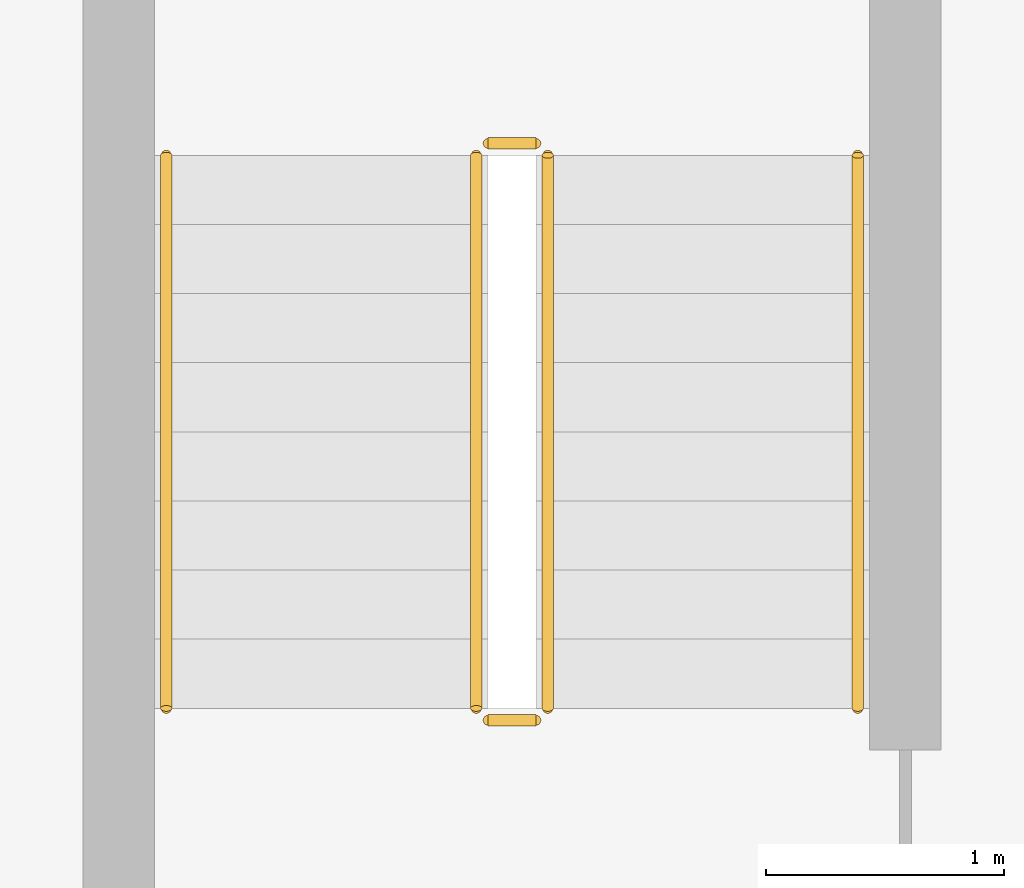
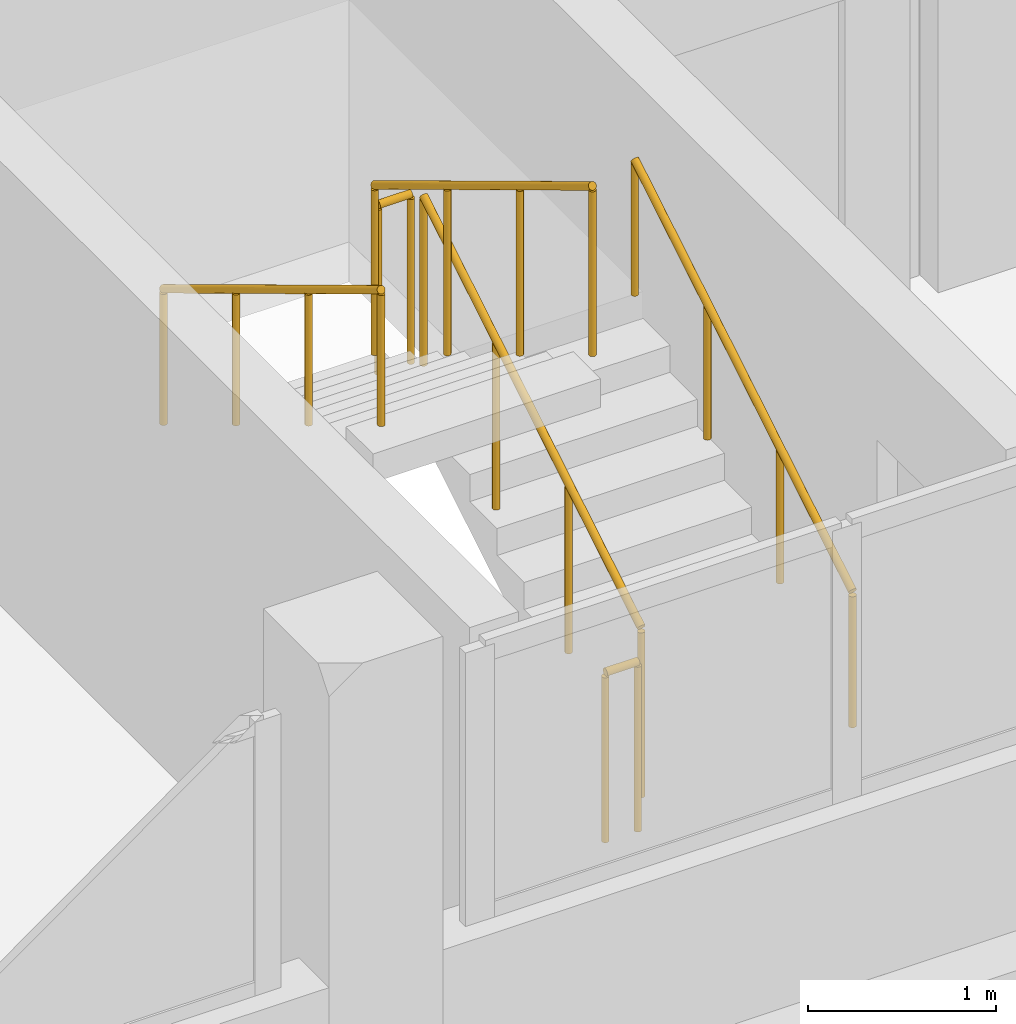
# One storey, part 42 of 51: 6 railings.
"""IFC4 building model written with IfcOpenShell, lengths in metres."""

from ifc_helpers import new_model, si_unit, derived_unit, direction, frame, origin, origin_2d, place, context, subcontext, project, spatial, circle, extrude, material, type_object, element, save


model = new_model("IFC4")

# Units and contexts
model_context = context("Model", 3, precision=1e-05, world=origin(), true_north=direction((0.0, 1.0)))
body_context = subcontext(model_context, "Body", "Model", "MODEL_VIEW")
ifc_project = project(units=[si_unit("LENGTHUNIT", "METRE"), si_unit("AREAUNIT", "SQUARE_METRE"), si_unit("VOLUMEUNIT", "CUBIC_METRE"), si_unit("PLANEANGLEUNIT", "RADIAN"), si_unit("MASSUNIT", "GRAM", prefix="KILO"), derived_unit("THERMALTRANSMITTANCEUNIT", [(si_unit("MASSUNIT", "GRAM", prefix="KILO"), 1), (si_unit("TIMEUNIT", "SECOND"), -3), (si_unit("THERMODYNAMICTEMPERATUREUNIT", "KELVIN"), -1)])], contexts=[model_context])

# Site, building, storey
site_placement = place(None, origin())
site = spatial("IfcSite", under=ifc_project, at=site_placement, CompositionType="ELEMENT")
building_placement = place(site_placement, origin())
building = spatial("IfcBuilding", under=site, at=building_placement, Name="Ochrekiln Boulevard Commons", CompositionType="ELEMENT")
storey_placement = place(building_placement, frame((0.0, 0.0, 15.22509765625)))
storey = spatial("IfcBuildingStorey", under=building, at=storey_placement, Name="L04", CompositionType="ELEMENT", Elevation=15.22509765625)

# Railings
ifc_material = material(Name="Brushed stainless steel 316 tubular railing", Category="steel")
railing_type_1 = type_object("IfcRailingType", Name="RLG-HDR-900", PredefinedType="HANDRAIL", material=ifc_material)
railing_1_placement = place(storey_placement, frame((9.35009765625, 70.27001953125, 0.1748046875)))
element("IfcRailing", 1, at=railing_1_placement, inside=storey, type_object=railing_type_1, Name="L04 ST-A1 stair handrail 1", PredefinedType="HANDRAIL", context=body_context, shape_type="SweptSolid", body=[
    extrude(circle(Radius=0.02392578125, at=origin_2d()), frame((0.0, 0.0, 0.8759765625), z_axis=(0.0, 0.856170481923, 0.516693435108), x_axis=(-1.0, 0.0, 0.0)), (0.0, 0.0, 1.0), 2.709716796875),
    extrude(circle(Radius=0.02099609375, at=origin_2d()), origin(), (0.0, 0.0, 1.0), 0.851806640625),
    extrude(circle(Radius=0.02099609375, at=origin_2d()), frame((0.0, 0.7734375, 0.466796875)), (0.0, 0.0, 1.0), 0.851806640625),
    extrude(circle(Radius=0.02099609375, at=origin_2d()), frame((0.0, 1.546630859375, 0.933349609375)), (0.0, 0.0, 1.0), 0.851806640625),
    extrude(circle(Radius=0.02099609375, at=origin_2d()), frame((0.0, 2.320068359375, 1.400146484375)), (0.0, 0.0, 1.0), 0.851806640625),
])
railing_2_placement = place(storey_placement, frame((6.449951171875, 72.590087890625, 1.75)))
element("IfcRailing", 2, at=railing_2_placement, inside=storey, type_object=railing_type_1, Name="L04 ST-A1 stair handrail 2", PredefinedType="HANDRAIL", context=body_context, shape_type="SweptSolid", body=[
    extrude(circle(Radius=0.02392578125, at=origin_2d()), frame((0.0, 0.0, 0.8759765625), z_axis=(0.0, -0.85621033714, 0.516627388526), x_axis=(1.0, 0.0, 0.0)), (0.0, 0.0, 1.0), 2.709716796875),
    extrude(circle(Radius=0.02099609375, at=origin_2d()), origin(), (0.0, 0.0, 1.0), 0.851806640625),
    extrude(circle(Radius=0.02099609375, at=origin_2d()), frame((0.0, -0.7734375, 0.466552734375)), (0.0, 0.0, 1.0), 0.851806640625),
    extrude(circle(Radius=0.02099609375, at=origin_2d()), frame((0.0, -1.546630859375, 0.933349609375)), (0.0, 0.0, 1.0), 0.851806640625),
    extrude(circle(Radius=0.02099609375, at=origin_2d()), frame((0.0, -2.320068359375, 1.39990234375)), (0.0, 0.0, 1.0), 0.851806640625),
])
railing_type_2 = type_object("IfcRailingType", Name="RLG-STR-1120", PredefinedType="BALUSTRADE", material=ifc_material)
railing_3_placement = place(storey_placement, frame((8.050048828125, 70.27001953125, 0.1748046875)))
element("IfcRailing", 3, at=railing_3_placement, inside=storey, type_object=railing_type_2, Name="L04 ST-A1 stair guard 1", PredefinedType="BALUSTRADE", context=body_context, shape_type="SweptSolid", body=[
    extrude(circle(Radius=0.02392578125, at=origin_2d()), frame((0.0, 0.0, 1.09619140625), z_axis=(0.0, 0.856170481923, 0.516693435108), x_axis=(-1.0, 0.0, 0.0)), (0.0, 0.0, 1.0), 2.709716796875),
    extrude(circle(Radius=0.02099609375, at=origin_2d()), origin(), (0.0, 0.0, 1.0), 1.072021484375),
    extrude(circle(Radius=0.02099609375, at=origin_2d()), frame((0.0, 0.7734375, 0.466796875)), (0.0, 0.0, 1.0), 1.072021484375),
    extrude(circle(Radius=0.02099609375, at=origin_2d()), frame((0.0, 1.546630859375, 0.933349609375)), (0.0, 0.0, 1.0), 1.072021484375),
    extrude(circle(Radius=0.02099609375, at=origin_2d()), frame((0.0, 2.320068359375, 1.400146484375)), (0.0, 0.0, 1.0), 1.072021484375),
])
railing_4_placement = place(storey_placement, frame((8.0, 72.639892578125, 1.574951171875)))
element("IfcRailing", 4, at=railing_4_placement, inside=storey, type_object=railing_type_2, Name="L04 ST-A1 stair guard 2", PredefinedType="BALUSTRADE", context=body_context, shape_type="SweptSolid", body=[
    extrude(circle(Radius=0.02392578125, at=origin_2d()), frame((0.0, 0.0, 1.09619140625), z_axis=(-1.0, 0.0, 0.0), x_axis=(0.0, -1.0, 0.0)), (0.0, 0.0, 1.0), 0.199951171875),
    extrude(circle(Radius=0.02099609375, at=origin_2d()), origin(), (0.0, 0.0, 1.0), 1.072021484375),
    extrude(circle(Radius=0.02099609375, at=origin_2d()), frame((-0.199951171875, 0.0, 0.0)), (0.0, 0.0, 1.0), 1.072021484375),
])
railing_5_placement = place(storey_placement, frame((7.75, 72.590087890625, 1.75)))
element("IfcRailing", 5, at=railing_5_placement, inside=storey, type_object=railing_type_2, Name="L04 ST-A1 stair guard 3", PredefinedType="BALUSTRADE", context=body_context, shape_type="SweptSolid", body=[
    extrude(circle(Radius=0.02392578125, at=origin_2d()), frame((0.0, 0.0, 1.09619140625), z_axis=(0.0, -0.85621033714, 0.516627388526), x_axis=(1.0, 0.0, 0.0)), (0.0, 0.0, 1.0), 2.709716796875),
    extrude(circle(Radius=0.02099609375, at=origin_2d()), origin(), (0.0, 0.0, 1.0), 1.072021484375),
    extrude(circle(Radius=0.02099609375, at=origin_2d()), frame((0.0, -0.7734375, 0.466552734375)), (0.0, 0.0, 1.0), 1.072021484375),
    extrude(circle(Radius=0.02099609375, at=origin_2d()), frame((0.0, -1.546630859375, 0.933349609375)), (0.0, 0.0, 1.0), 1.072021484375),
    extrude(circle(Radius=0.02099609375, at=origin_2d()), frame((0.0, -2.320068359375, 1.39990234375)), (0.0, 0.0, 1.0), 1.072021484375),
])
railing_6_placement = place(storey_placement, frame((8.0, 70.219970703125, 0.0)))
element("IfcRailing", 6, at=railing_6_placement, inside=storey, type_object=railing_type_2, Name="L04 ST-A1 stair guard 4", PredefinedType="BALUSTRADE", context=body_context, shape_type="SweptSolid", body=[
    extrude(circle(Radius=0.02392578125, at=origin_2d()), frame((0.0, 0.0, 1.09619140625), z_axis=(-1.0, 0.0, 0.0), x_axis=(0.0, -1.0, 0.0)), (0.0, 0.0, 1.0), 0.199951171875),
    extrude(circle(Radius=0.02099609375, at=origin_2d()), origin(), (0.0, 0.0, 1.0), 1.072021484375),
    extrude(circle(Radius=0.02099609375, at=origin_2d()), frame((-0.199951171875, 0.0, 0.0)), (0.0, 0.0, 1.0), 1.072021484375),
])

save(model, "model.ifc")
